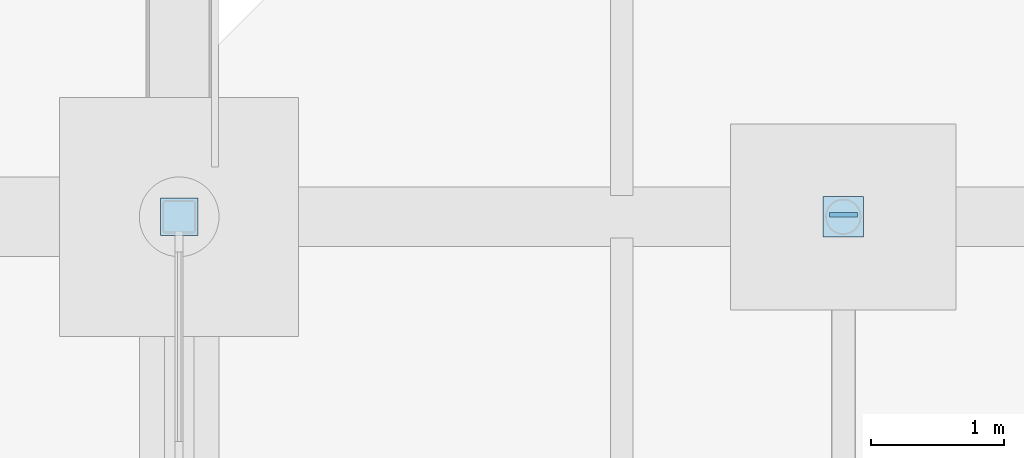
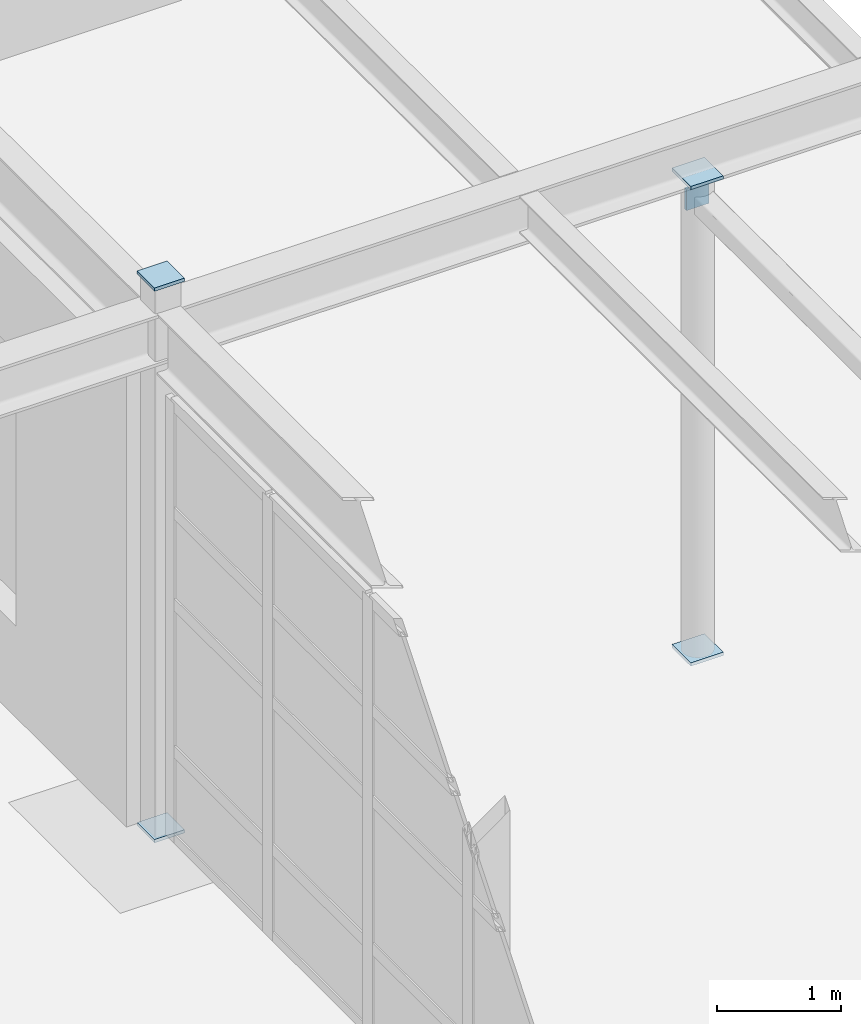
# One storey, part 102 of 145: 5 plates.
"""IFC4 building model written with IfcOpenShell, lengths in metres."""

from ifc_helpers import new_model, si_unit, direction, frame, origin, origin_2d, place, context, subcontext, project, spatial, rectangle, extrude, material, layer, layer_set, type_object, element, save


model = new_model("IFC4")

# Units and contexts
model_context = context("Model", 3, precision=1e-05, world=origin(), true_north=direction((0.0, 1.0)))
body_context = subcontext(model_context, "Body", "Model", "MODEL_VIEW")
ifc_project = project(units=[si_unit("LENGTHUNIT", "METRE"), si_unit("AREAUNIT", "SQUARE_METRE"), si_unit("VOLUMEUNIT", "CUBIC_METRE"), si_unit("PLANEANGLEUNIT", "RADIAN"), si_unit("MASSUNIT", "GRAM", prefix="KILO"), si_unit("THERMODYNAMICTEMPERATUREUNIT", "KELVIN"), si_unit("POWERUNIT", "WATT")], contexts=[model_context])

# Site, building, storey
site_placement = place(None, origin())
site = spatial("IfcSite", under=ifc_project, at=site_placement, CompositionType="ELEMENT")
building_placement = place(site_placement, origin())
building = spatial("IfcBuilding", under=site, at=building_placement, Name="Korenveer Ferry Terminal", CompositionType="ELEMENT")
storey_placement = place(building_placement, origin())
storey = spatial("IfcBuildingStorey", under=building, at=storey_placement, Name="L00", CompositionType="ELEMENT", Elevation=0.0)

# Plates
ifc_material = material(Name="Steel S355", Category="steel")
ifc_layer = layer(ifc_material, 0.031982421875)
ifc_layer_set = layer_set([ifc_layer], Name="Steel S355")
plate_type = type_object("IfcPlateType", Name="STR-PLT-CAP32", PredefinedType="USERDEFINED", material=ifc_layer_set)
for number, where, z_axis, x_axis, name in (
    (1, (53.0, 10.0, -0.0322265625), (0.0, 0.0, 1.0), (1.0, 0.0, 0.0), "Hollow section end cap 8"),
    (2, (53.0, 10.0, 5.39990234375), (0.0, 0.0, 1.0), (1.0, 0.0, 0.0), "Hollow section end cap 9"),
):
    element("IfcPlate", number, at=place(storey_placement, frame(where, z_axis=z_axis, x_axis=x_axis)), inside=storey, type_object=plate_type, Name=name, ObjectType="END CAP PLATE", PredefinedType="USERDEFINED", context=body_context, shape_type="SweptSolid", body=[
        extrude(rectangle(XDim=0.280029296875, YDim=0.280029296875, at=origin_2d()), origin(), (0.0, 0.0, 1.0), 0.031982421875),
    ])
for number, where, z_axis, x_axis, name in (
    (3, (58.0, 10.0, -0.0322265625), (0.0, 0.0, 1.0), (1.0, 0.0, 0.0), "Hollow section end cap 540"),
    (4, (58.0, 10.0, 4.66015625), (0.0, 0.0, 1.0), (1.0, 0.0, 0.0), "Hollow section end cap 541"),
):
    element("IfcPlate", number, at=place(storey_placement, frame(where, z_axis=z_axis, x_axis=x_axis)), inside=storey, type_object=plate_type, Name=name, ObjectType="END CAP PLATE", PredefinedType="USERDEFINED", context=body_context, shape_type="SweptSolid", body=[
        extrude(rectangle(XDim=0.302978515625, YDim=0.302978515625, at=origin_2d()), origin(), (0.0, 0.0, 1.0), 0.031982421875),
    ])
plate_placement = place(storey_placement, frame((58.0, 10.0, 4.449951171875), z_axis=(0.0, 1.0, 0.0), x_axis=(-1.0, 0.0, 0.0)))
element("IfcPlate", 5, at=plate_placement, inside=storey, type_object=plate_type, Name="Hollow section end cap 557", ObjectType="END CAP PLATE", PredefinedType="USERDEFINED", context=body_context, shape_type="SweptSolid", body=[
    extrude(rectangle(XDim=0.2099609375, YDim=0.2099609375, at=origin_2d()), origin(), (0.0, 0.0, 1.0), 0.031982421875),
])

save(model, "model.ifc")
